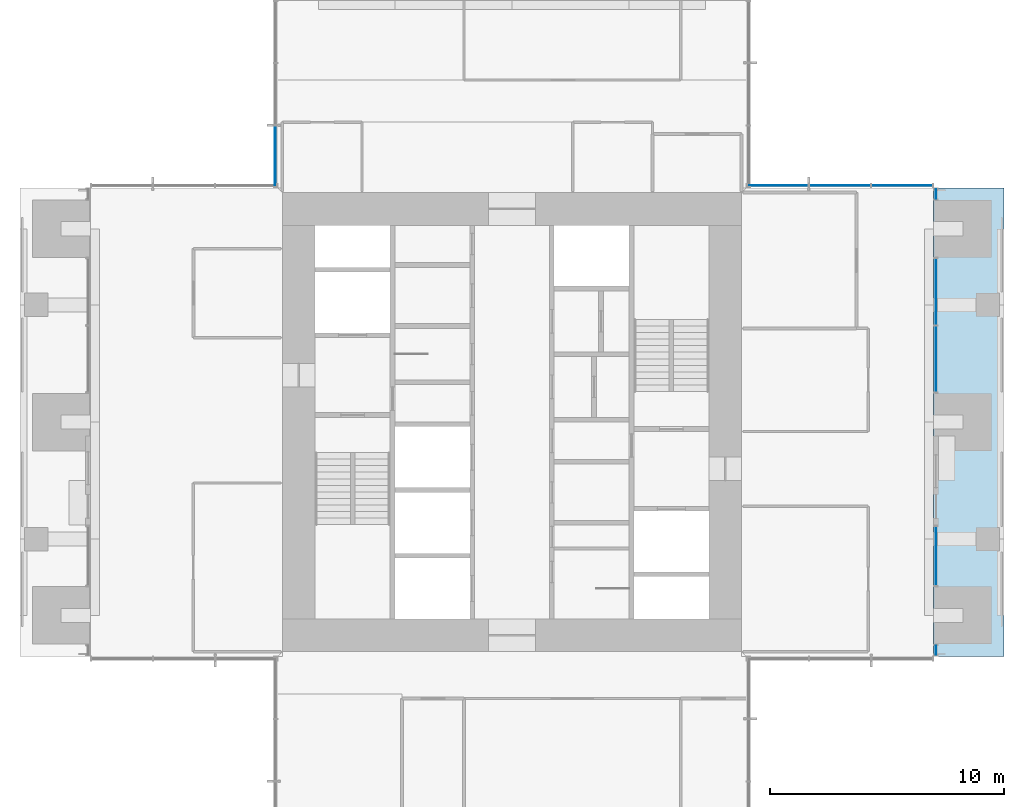
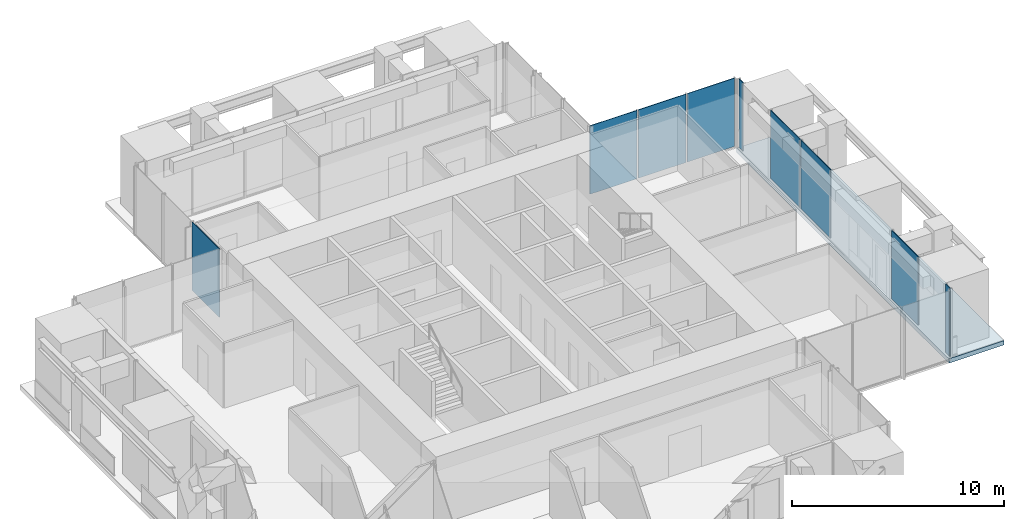
# One storey, part 10 of 17: 9 plates, 1 slab, 6 elements without a shape of their own.
"""IFC4 building model written with IfcOpenShell, lengths in metres."""

from ifc_helpers import new_model, si_unit, direction, frame, origin, origin_2d, place, context, subcontext, project, spatial, polyline, rectangle, outline, extrude, material, layer, layer_set, type_object, element, aggregate, save


model = new_model("IFC4")

# Units and contexts
model_context = context("Model", 3, precision=1e-05, world=origin(), true_north=direction((0.0, 1.0)))
body_context = subcontext(model_context, "Body", "Model", "MODEL_VIEW")
ifc_project = project(units=[si_unit("LENGTHUNIT", "METRE"), si_unit("AREAUNIT", "SQUARE_METRE"), si_unit("VOLUMEUNIT", "CUBIC_METRE"), si_unit("PLANEANGLEUNIT", "RADIAN"), si_unit("MASSUNIT", "GRAM", prefix="KILO")], contexts=[model_context])

# Site, building, storey
site_placement = place(None, origin())
site = spatial("IfcSite", under=ifc_project, at=site_placement, CompositionType="ELEMENT")
building_placement = place(site_placement, origin())
building = spatial("IfcBuilding", under=site, at=building_placement, Name="Svetlomir Tower", CompositionType="ELEMENT")
storey_placement = place(building_placement, frame((0.0, 0.0, 170.5)))
storey = spatial("IfcBuildingStorey", under=building, at=storey_placement, Name="L40", CompositionType="ELEMENT", Elevation=170.5)

# Curtain wall, plate
ifc_material_1 = material(Name="Bronze anodised aluminium curtain wall", Category="aluminium")
curtain_wall_type = type_object("IfcCurtainWallType", Name="CURTAIN WALL CW1 TOWER OFFICE", PredefinedType="NOTDEFINED", material=ifc_material_1)
curtain_wall_1_placement = place(storey_placement, origin())
curtain_wall_1 = element("IfcCurtainWall", 1, at=curtain_wall_1_placement, inside=storey, type_object=curtain_wall_type, Name="Curtain wall CW1 L40", PredefinedType="NOTDEFINED")
ifc_material_2 = material(Name="Tinted double glazed unit", Category="glass")
ifc_layer_1 = layer(ifc_material_2, 0.031982421875)
ifc_layer_set_1 = layer_set([ifc_layer_1], Name="Tinted double glazed unit")
plate_type = type_object("IfcPlateType", Name="CW1 GLAZED PANEL 32", PredefinedType="CURTAIN_PANEL", material=ifc_layer_set_1)
plate_1_placement = place(storey_placement, frame((39.10009765625, 11.262451171875, 0.06494140625), z_axis=(0.0, 0.0, 1.0), x_axis=(0.0, 1.0, 0.0)))
plate_1 = element("IfcPlate", 2, at=plate_1_placement, type_object=plate_type, Name="CW1 panel 1.1", PredefinedType="CURTAIN_PANEL", context=body_context, shape_type="SweptSolid", body=[
    extrude(rectangle(XDim=0.39501953125, YDim=0.031982421875, at=origin_2d()), origin(), (0.0, 0.0, 1.0), 3.93505859375),
])
aggregate(curtain_wall_1, [plate_1])

curtain_wall_2_placement = place(storey_placement, origin())
curtain_wall_2 = element("IfcCurtainWall", 3, at=curtain_wall_2_placement, inside=storey, type_object=curtain_wall_type, Name="Curtain wall CW1 L40", PredefinedType="NOTDEFINED")
plate_2_placement = place(storey_placement, frame((39.10009765625, 15.28759765625, 0.06494140625), z_axis=(0.0, 0.0, 1.0), x_axis=(0.0, 1.0, 0.0)))
plate_2 = element("IfcPlate", 4, at=plate_2_placement, type_object=plate_type, Name="CW1 panel 1.1", PredefinedType="CURTAIN_PANEL", context=body_context, shape_type="SweptSolid", body=[
    extrude(rectangle(XDim=2.4951171875, YDim=0.031982421875, at=origin_2d()), origin(), (0.0, 0.0, 1.0), 3.93505859375),
])
aggregate(curtain_wall_2, [plate_2])

# Curtain wall, plates
curtain_wall_3_placement = place(storey_placement, origin())
curtain_wall_3 = element("IfcCurtainWall", 5, at=curtain_wall_3_placement, inside=storey, type_object=curtain_wall_type, Name="Curtain wall CW1 L40", PredefinedType="NOTDEFINED")
plate_3_placement = place(storey_placement, frame((39.10009765625, 23.691162109375, 0.06494140625), z_axis=(0.0, 0.0, 1.0), x_axis=(0.0, 1.0, 0.0)))
plate_3 = element("IfcPlate", 6, at=plate_3_placement, type_object=plate_type, Name="CW1 panel 1.1", PredefinedType="CURTAIN_PANEL", context=body_context, shape_type="SweptSolid", body=[
    extrude(rectangle(XDim=2.802490234375, YDim=0.031982421875, at=origin_2d()), origin(), (0.0, 0.0, 1.0), 3.93505859375),
])
plate_4_placement = place(storey_placement, frame((39.10009765625, 26.558837890625, 0.06494140625), z_axis=(0.0, 0.0, 1.0), x_axis=(0.0, 1.0, 0.0)))
plate_4 = element("IfcPlate", 7, at=plate_4_placement, type_object=plate_type, Name="CW1 panel 2.1", PredefinedType="CURTAIN_PANEL", context=body_context, shape_type="SweptSolid", body=[
    extrude(rectangle(XDim=2.802490234375, YDim=0.031982421875, at=origin_2d()), origin(), (0.0, 0.0, 1.0), 3.93505859375),
])
aggregate(curtain_wall_3, [plate_3, plate_4])

# Curtain wall, plate
curtain_wall_4_placement = place(storey_placement, origin())
curtain_wall_4 = element("IfcCurtainWall", 8, at=curtain_wall_4_placement, inside=storey, type_object=curtain_wall_type, Name="Curtain wall CW1 L40", PredefinedType="NOTDEFINED")
plate_5_placement = place(storey_placement, frame((39.10009765625, 30.737548828125, 0.06494140625), z_axis=(0.0, 0.0, 1.0), x_axis=(0.0, 1.0, 0.0)))
plate_5 = element("IfcPlate", 9, at=plate_5_placement, type_object=plate_type, Name="CW1 panel 1.1", PredefinedType="CURTAIN_PANEL", context=body_context, shape_type="SweptSolid", body=[
    extrude(rectangle(XDim=0.39501953125, YDim=0.031982421875, at=origin_2d()), origin(), (0.0, 0.0, 1.0), 3.93505859375),
])
aggregate(curtain_wall_4, [plate_5])

# Curtain wall, plates
curtain_wall_5_placement = place(storey_placement, origin())
curtain_wall_5 = element("IfcCurtainWall", 10, at=curtain_wall_5_placement, inside=storey, type_object=curtain_wall_type, Name="Curtain wall CW1 L40", PredefinedType="NOTDEFINED")
plate_6_placement = place(storey_placement, frame((37.650390625, 31.10009765625, 0.06494140625), z_axis=(0.0, 0.0, 1.0), x_axis=(-1.0, 0.0, 0.0)))
plate_6 = element("IfcPlate", 11, at=plate_6_placement, type_object=plate_type, Name="CW1 panel 1.1", PredefinedType="CURTAIN_PANEL", context=body_context, shape_type="SweptSolid", body=[
    extrude(rectangle(XDim=2.569091796875, YDim=0.031982421875, at=origin_2d()), origin(), (0.0, 0.0, 1.0), 3.93505859375),
])
plate_7_placement = place(storey_placement, frame((35.0, 31.10009765625, 0.06494140625), z_axis=(0.0, 0.0, 1.0), x_axis=(-1.0, 0.0, 0.0)))
plate_7 = element("IfcPlate", 12, at=plate_7_placement, type_object=plate_type, Name="CW1 panel 2.1", PredefinedType="CURTAIN_PANEL", context=body_context, shape_type="SweptSolid", body=[
    extrude(rectangle(XDim=2.6015625, YDim=0.031982421875, at=origin_2d()), origin(), (0.0, 0.0, 1.0), 3.93505859375),
])
plate_8_placement = place(storey_placement, frame((32.349609375, 31.10009765625, 0.06494140625), z_axis=(0.0, 0.0, 1.0), x_axis=(-1.0, 0.0, 0.0)))
plate_8 = element("IfcPlate", 13, at=plate_8_placement, type_object=plate_type, Name="CW1 panel 3.1", PredefinedType="CURTAIN_PANEL", context=body_context, shape_type="SweptSolid", body=[
    extrude(rectangle(XDim=2.569091796875, YDim=0.031982421875, at=origin_2d()), origin(), (0.0, 0.0, 1.0), 3.93505859375),
])
aggregate(curtain_wall_5, [plate_6, plate_7, plate_8])

# Curtain wall, plate
curtain_wall_6_placement = place(storey_placement, origin())
curtain_wall_6 = element("IfcCurtainWall", 14, at=curtain_wall_6_placement, inside=storey, type_object=curtain_wall_type, Name="Curtain wall CW1 L40", PredefinedType="NOTDEFINED")
plate_9_placement = place(storey_placement, frame((10.89990234375, 32.349609375, 0.06494140625), z_axis=(0.0, 0.0, 1.0), x_axis=(0.0, -1.0, 0.0)))
plate_9 = element("IfcPlate", 15, at=plate_9_placement, type_object=plate_type, Name="CW1 panel 3.1", PredefinedType="CURTAIN_PANEL", context=body_context, shape_type="SweptSolid", body=[
    extrude(rectangle(XDim=2.569091796875, YDim=0.031982421875, at=origin_2d()), origin(), (0.0, 0.0, 1.0), 3.93505859375),
])
aggregate(curtain_wall_6, [plate_9])

# Slab
ifc_material_3 = material(Name="Concrete C60/75", Category="concrete")
ifc_layer_2 = layer(ifc_material_3, 0.25)
ifc_layer_set_2 = layer_set([ifc_layer_2], Name="Concrete C60/75")
slab_type = type_object("IfcSlabType", Name="PLANTED LOGGIA SLAB 250", PredefinedType="FLOOR", material=ifc_layer_set_2)
slab_placement = place(storey_placement, frame((0.0, 0.0, -0.25)))
element("IfcSlab", 16, at=slab_placement, inside=storey, type_object=slab_type, Name="L40 E planted loggia", PredefinedType="FLOOR", context=body_context, shape_type="SweptSolid", body=[
    extrude(outline(polyline([(39.0, 11.0), (42.0, 11.0), (42.0, 31.0), (39.0, 31.0), (39.0, 11.0)])), origin(), (0.0, 0.0, 1.0), 0.25),
])

save(model, "model.ifc")
